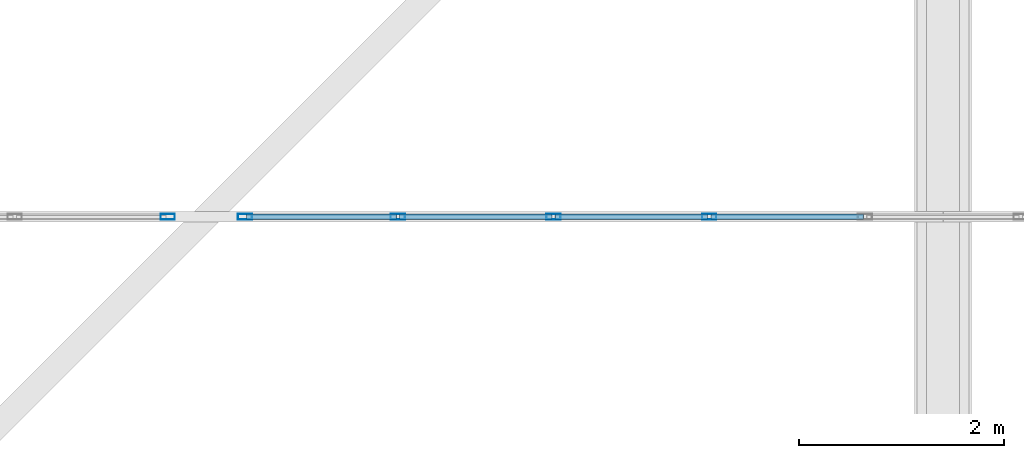
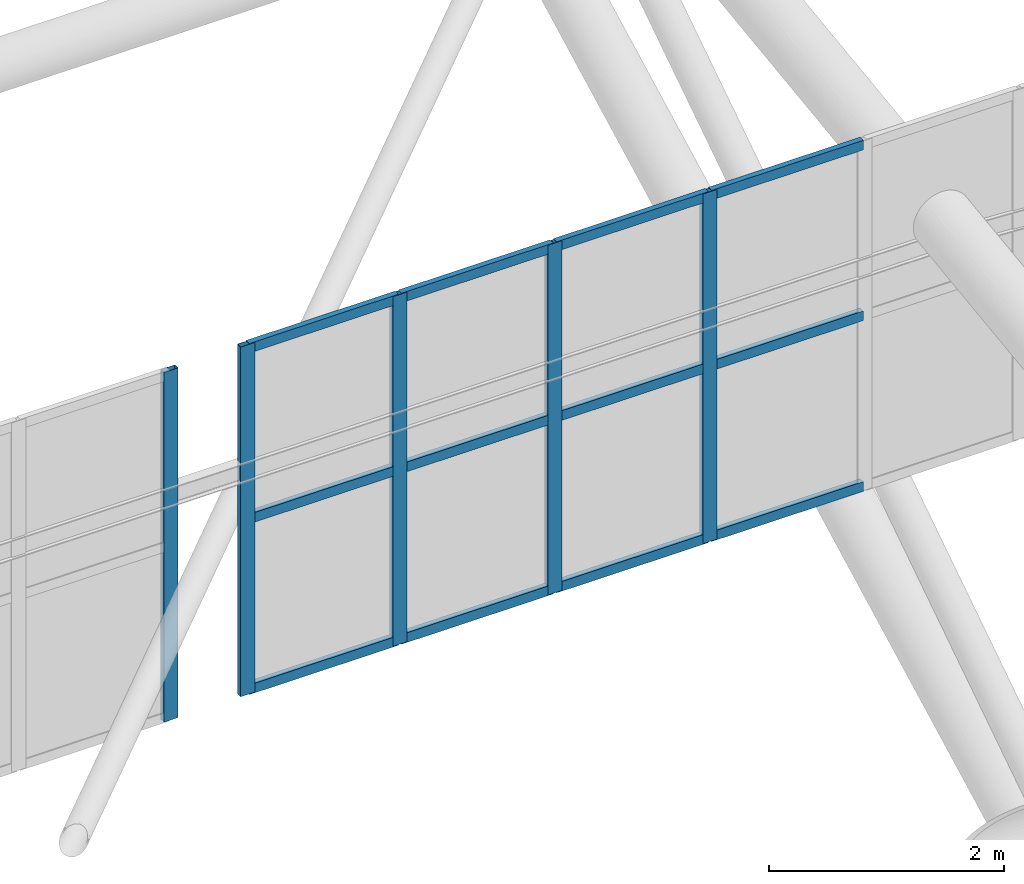
# One storey, part 89 of 397: 17 members, 2 elements without a shape of their own.
"""IFC4 building model written with IfcOpenShell, lengths in metres."""

from ifc_helpers import new_model, si_unit, direction, frame, origin, origin_2d, place, context, subcontext, project, spatial, hollow_rectangle, extrude, material, material_profile, profile_set, type_object, element, aggregate, save


model = new_model("IFC4")

# Units and contexts
model_context = context("Model", 3, precision=1e-05, world=origin(), true_north=direction((0.0, 1.0)))
body_context = subcontext(model_context, "Body", "Model", "MODEL_VIEW")
ifc_project = project(units=[si_unit("LENGTHUNIT", "METRE"), si_unit("AREAUNIT", "SQUARE_METRE"), si_unit("VOLUMEUNIT", "CUBIC_METRE"), si_unit("PLANEANGLEUNIT", "RADIAN"), si_unit("MASSUNIT", "GRAM", prefix="KILO")], contexts=[model_context])

# Site, building, storey
site_placement = place(None, origin())
site = spatial("IfcSite", under=ifc_project, at=site_placement, CompositionType="ELEMENT")
building_placement = place(site_placement, origin())
building = spatial("IfcBuilding", under=site, at=building_placement, Name="Qandorah Velis Arena", CompositionType="ELEMENT")
storey_placement = place(building_placement, frame((0.0, 0.0, 27.5)))
storey = spatial("IfcBuildingStorey", under=building, at=storey_placement, Name="RF", CompositionType="ELEMENT", Elevation=27.5)

# Curtain wall, member
ifc_material_1 = material(Name="Solar-control low-E double glazing", Category="glass")
curtain_wall_type_1 = type_object("IfcCurtainWallType", Name="ARC-CW-SYS21", PredefinedType="USERDEFINED", material=ifc_material_1)
curtain_wall_1_placement = place(storey_placement, origin())
curtain_wall_1 = element("IfcCurtainWall", 1, at=curtain_wall_1_placement, inside=storey, type_object=curtain_wall_type_1, Name="Unitised curtain wall MON-3-3", ObjectType="UNITISED CURTAIN WALL", PredefinedType="USERDEFINED")
ifc_material_2 = material(Name="Champagne-bronze anodized aluminium 6063-T6", Category="aluminium")
ifc_material_profile_1 = material_profile(ifc_material_2, hollow_rectangle(XDim=0.054931640625, YDim=0.139892578125, WallThickness=0.0029296875, at=origin_2d()), Name="ALU MULLION 55x140")
ifc_profile_set_1 = profile_set([ifc_material_profile_1], Name="Champagne-bronze anodized aluminium 6063-T6")
member_type_1 = type_object("IfcMemberType", Name="ARC-CWM-140", PredefinedType="MULLION", material=ifc_profile_set_1)
member_1_placement = place(storey_placement, frame((64.422607421875, 21.60009765625, 6.064697265625), z_axis=(0.0, 0.0, 1.0), x_axis=(0.0, 1.0, 0.0)))
member_1 = element("IfcMember", 2, at=member_1_placement, type_object=member_type_1, Name="CW21 mullion 10", PredefinedType="MULLION", context=body_context, shape_type="SweptSolid", body=[
    extrude(hollow_rectangle(XDim=0.054931640625, YDim=0.139892578125, WallThickness=0.0029296875, at=origin_2d()), origin(), (0.0, 0.0, 1.0), 3.6298828125),
])
aggregate(curtain_wall_1, [member_1])

# Curtain wall, members
curtain_wall_type_2 = type_object("IfcCurtainWallType", Name="ARC-CW-SYS22", PredefinedType="USERDEFINED", material=ifc_material_1)
curtain_wall_2_placement = place(storey_placement, origin())
curtain_wall_2 = element("IfcCurtainWall", 3, at=curtain_wall_2_placement, inside=storey, type_object=curtain_wall_type_2, Name="Unitised curtain wall MON-3-4", ObjectType="UNITISED CURTAIN WALL", PredefinedType="USERDEFINED")
member_2_placement = place(storey_placement, frame((65.177490234375, 21.60009765625, 6.064697265625), z_axis=(0.0, 0.0, 1.0), x_axis=(0.0, 1.0, 0.0)))
member_2 = element("IfcMember", 4, at=member_2_placement, type_object=member_type_1, Name="CW22 mullion 1", PredefinedType="MULLION", context=body_context, shape_type="SweptSolid", body=[
    extrude(hollow_rectangle(XDim=0.054931640625, YDim=0.139892578125, WallThickness=0.0029296875, at=origin_2d()), origin(), (0.0, 0.0, 1.0), 3.6298828125),
])
member_3_placement = place(storey_placement, frame((66.672119140625, 21.60009765625, 6.064697265625), z_axis=(0.0, 0.0, 1.0), x_axis=(0.0, 1.0, 0.0)))
member_3 = element("IfcMember", 5, at=member_3_placement, type_object=member_type_1, Name="CW22 mullion 2", PredefinedType="MULLION", context=body_context, shape_type="SweptSolid", body=[
    extrude(hollow_rectangle(XDim=0.054931640625, YDim=0.139892578125, WallThickness=0.0029296875, at=origin_2d()), origin(), (0.0, 0.0, 1.0), 3.6298828125),
])
member_4_placement = place(storey_placement, frame((68.1943359375, 21.60009765625, 6.064697265625), z_axis=(0.0, 0.0, 1.0), x_axis=(0.0, 1.0, 0.0)))
member_4 = element("IfcMember", 6, at=member_4_placement, type_object=member_type_1, Name="CW22 mullion 3", PredefinedType="MULLION", context=body_context, shape_type="SweptSolid", body=[
    extrude(hollow_rectangle(XDim=0.054931640625, YDim=0.139892578125, WallThickness=0.0029296875, at=origin_2d()), origin(), (0.0, 0.0, 1.0), 3.6298828125),
])
member_5_placement = place(storey_placement, frame((69.716552734375, 21.60009765625, 6.064697265625), z_axis=(0.0, 0.0, 1.0), x_axis=(0.0, 1.0, 0.0)))
member_5 = element("IfcMember", 7, at=member_5_placement, type_object=member_type_1, Name="CW22 mullion 4", PredefinedType="MULLION", context=body_context, shape_type="SweptSolid", body=[
    extrude(hollow_rectangle(XDim=0.054931640625, YDim=0.139892578125, WallThickness=0.0029296875, at=origin_2d()), origin(), (0.0, 0.0, 1.0), 3.6298828125),
])
ifc_material_profile_2 = material_profile(ifc_material_2, hollow_rectangle(XDim=0.054931640625, YDim=0.10009765625, WallThickness=0.0029296875, at=origin_2d()), Name="ALU TRANSOM 55x100")
ifc_profile_set_2 = profile_set([ifc_material_profile_2], Name="Champagne-bronze anodized aluminium 6063-T6")
member_type_2 = type_object("IfcMemberType", Name="ARC-CWT-100", PredefinedType="USERDEFINED", material=ifc_profile_set_2)
member_6_placement = place(storey_placement, frame((65.193115234375, 21.60009765625, 6.107177734375), z_axis=(1.0, 0.0, 0.0), x_axis=(0.0, 1.0, 0.0)))
member_6 = element("IfcMember", 8, at=member_6_placement, type_object=member_type_2, Name="CW22 transom 1.1", ObjectType="TRANSOM", PredefinedType="USERDEFINED", context=body_context, shape_type="SweptSolid", body=[
    extrude(hollow_rectangle(XDim=0.054931640625, YDim=0.10009765625, WallThickness=0.0029296875, at=origin_2d()), origin(), (0.0, 0.0, 1.0), 1.463623046875),
])
member_7_placement = place(storey_placement, frame((65.193115234375, 21.60009765625, 7.879638671875), z_axis=(1.0, 0.0, 0.0), x_axis=(0.0, 1.0, 0.0)))
member_7 = element("IfcMember", 9, at=member_7_placement, type_object=member_type_2, Name="CW22 transom 1.2", ObjectType="TRANSOM", PredefinedType="USERDEFINED", context=body_context, shape_type="SweptSolid", body=[
    extrude(hollow_rectangle(XDim=0.054931640625, YDim=0.10009765625, WallThickness=0.0029296875, at=origin_2d()), origin(), (0.0, 0.0, 1.0), 1.463623046875),
])
member_8_placement = place(storey_placement, frame((65.193115234375, 21.60009765625, 9.652099609375), z_axis=(1.0, 0.0, 0.0), x_axis=(0.0, 1.0, 0.0)))
member_8 = element("IfcMember", 10, at=member_8_placement, type_object=member_type_2, Name="CW22 transom 1.3", ObjectType="TRANSOM", PredefinedType="USERDEFINED", context=body_context, shape_type="SweptSolid", body=[
    extrude(hollow_rectangle(XDim=0.054931640625, YDim=0.10009765625, WallThickness=0.0029296875, at=origin_2d()), origin(), (0.0, 0.0, 1.0), 1.463623046875),
])
member_9_placement = place(storey_placement, frame((66.687744140625, 21.60009765625, 6.107177734375), z_axis=(1.0, 0.0, 0.0), x_axis=(0.0, 1.0, 0.0)))
member_9 = element("IfcMember", 11, at=member_9_placement, type_object=member_type_2, Name="CW22 transom 2.1", ObjectType="TRANSOM", PredefinedType="USERDEFINED", context=body_context, shape_type="SweptSolid", body=[
    extrude(hollow_rectangle(XDim=0.054931640625, YDim=0.10009765625, WallThickness=0.0029296875, at=origin_2d()), origin(), (0.0, 0.0, 1.0), 1.4912109375),
])
member_10_placement = place(storey_placement, frame((66.687744140625, 21.60009765625, 7.879638671875), z_axis=(1.0, 0.0, 0.0), x_axis=(0.0, 1.0, 0.0)))
member_10 = element("IfcMember", 12, at=member_10_placement, type_object=member_type_2, Name="CW22 transom 2.2", ObjectType="TRANSOM", PredefinedType="USERDEFINED", context=body_context, shape_type="SweptSolid", body=[
    extrude(hollow_rectangle(XDim=0.054931640625, YDim=0.10009765625, WallThickness=0.0029296875, at=origin_2d()), origin(), (0.0, 0.0, 1.0), 1.4912109375),
])
member_11_placement = place(storey_placement, frame((66.687744140625, 21.60009765625, 9.652099609375), z_axis=(1.0, 0.0, 0.0), x_axis=(0.0, 1.0, 0.0)))
member_11 = element("IfcMember", 13, at=member_11_placement, type_object=member_type_2, Name="CW22 transom 2.3", ObjectType="TRANSOM", PredefinedType="USERDEFINED", context=body_context, shape_type="SweptSolid", body=[
    extrude(hollow_rectangle(XDim=0.054931640625, YDim=0.10009765625, WallThickness=0.0029296875, at=origin_2d()), origin(), (0.0, 0.0, 1.0), 1.4912109375),
])
member_12_placement = place(storey_placement, frame((68.2099609375, 21.60009765625, 6.107177734375), z_axis=(1.0, 0.0, 0.0), x_axis=(0.0, 1.0, 0.0)))
member_12 = element("IfcMember", 14, at=member_12_placement, type_object=member_type_2, Name="CW22 transom 3.1", ObjectType="TRANSOM", PredefinedType="USERDEFINED", context=body_context, shape_type="SweptSolid", body=[
    extrude(hollow_rectangle(XDim=0.054931640625, YDim=0.10009765625, WallThickness=0.0029296875, at=origin_2d()), origin(), (0.0, 0.0, 1.0), 1.4912109375),
])
member_13_placement = place(storey_placement, frame((68.2099609375, 21.60009765625, 7.879638671875), z_axis=(1.0, 0.0, 0.0), x_axis=(0.0, 1.0, 0.0)))
member_13 = element("IfcMember", 15, at=member_13_placement, type_object=member_type_2, Name="CW22 transom 3.2", ObjectType="TRANSOM", PredefinedType="USERDEFINED", context=body_context, shape_type="SweptSolid", body=[
    extrude(hollow_rectangle(XDim=0.054931640625, YDim=0.10009765625, WallThickness=0.0029296875, at=origin_2d()), origin(), (0.0, 0.0, 1.0), 1.4912109375),
])
member_14_placement = place(storey_placement, frame((68.2099609375, 21.60009765625, 9.652099609375), z_axis=(1.0, 0.0, 0.0), x_axis=(0.0, 1.0, 0.0)))
member_14 = element("IfcMember", 16, at=member_14_placement, type_object=member_type_2, Name="CW22 transom 3.3", ObjectType="TRANSOM", PredefinedType="USERDEFINED", context=body_context, shape_type="SweptSolid", body=[
    extrude(hollow_rectangle(XDim=0.054931640625, YDim=0.10009765625, WallThickness=0.0029296875, at=origin_2d()), origin(), (0.0, 0.0, 1.0), 1.4912109375),
])
member_15_placement = place(storey_placement, frame((69.732177734375, 21.60009765625, 6.107177734375), z_axis=(1.0, 0.0, 0.0), x_axis=(0.0, 1.0, 0.0)))
member_15 = element("IfcMember", 17, at=member_15_placement, type_object=member_type_2, Name="CW22 transom 4.1", ObjectType="TRANSOM", PredefinedType="USERDEFINED", context=body_context, shape_type="SweptSolid", body=[
    extrude(hollow_rectangle(XDim=0.054931640625, YDim=0.10009765625, WallThickness=0.0029296875, at=origin_2d()), origin(), (0.0, 0.0, 1.0), 1.4912109375),
])
member_16_placement = place(storey_placement, frame((69.732177734375, 21.60009765625, 7.879638671875), z_axis=(1.0, 0.0, 0.0), x_axis=(0.0, 1.0, 0.0)))
member_16 = element("IfcMember", 18, at=member_16_placement, type_object=member_type_2, Name="CW22 transom 4.2", ObjectType="TRANSOM", PredefinedType="USERDEFINED", context=body_context, shape_type="SweptSolid", body=[
    extrude(hollow_rectangle(XDim=0.054931640625, YDim=0.10009765625, WallThickness=0.0029296875, at=origin_2d()), origin(), (0.0, 0.0, 1.0), 1.4912109375),
])
member_17_placement = place(storey_placement, frame((69.732177734375, 21.60009765625, 9.652099609375), z_axis=(1.0, 0.0, 0.0), x_axis=(0.0, 1.0, 0.0)))
member_17 = element("IfcMember", 19, at=member_17_placement, type_object=member_type_2, Name="CW22 transom 4.3", ObjectType="TRANSOM", PredefinedType="USERDEFINED", context=body_context, shape_type="SweptSolid", body=[
    extrude(hollow_rectangle(XDim=0.054931640625, YDim=0.10009765625, WallThickness=0.0029296875, at=origin_2d()), origin(), (0.0, 0.0, 1.0), 1.4912109375),
])
aggregate(curtain_wall_2, [member_2, member_3, member_4, member_5, member_6, member_7, member_8, member_9, member_10, member_11, member_12, member_13, member_14, member_15, member_16, member_17])

save(model, "model.ifc")
